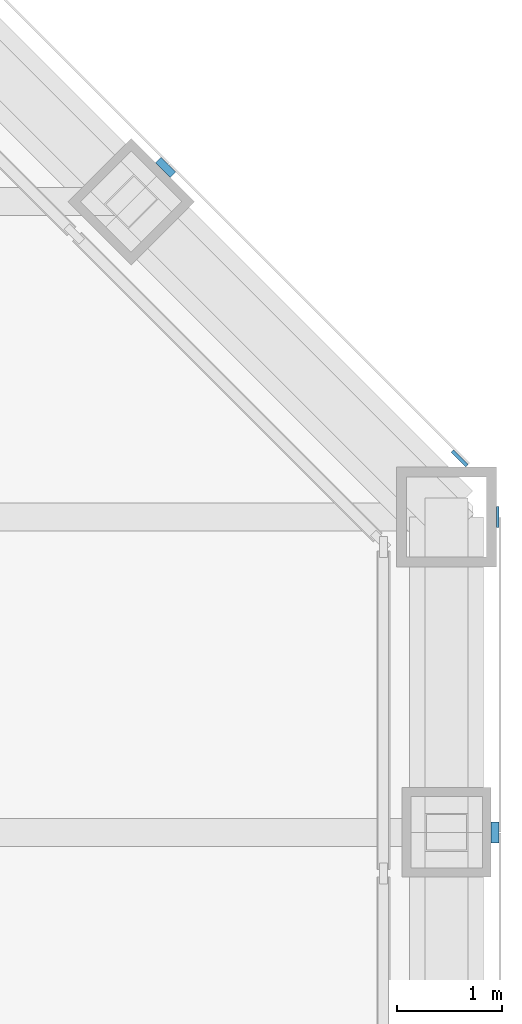
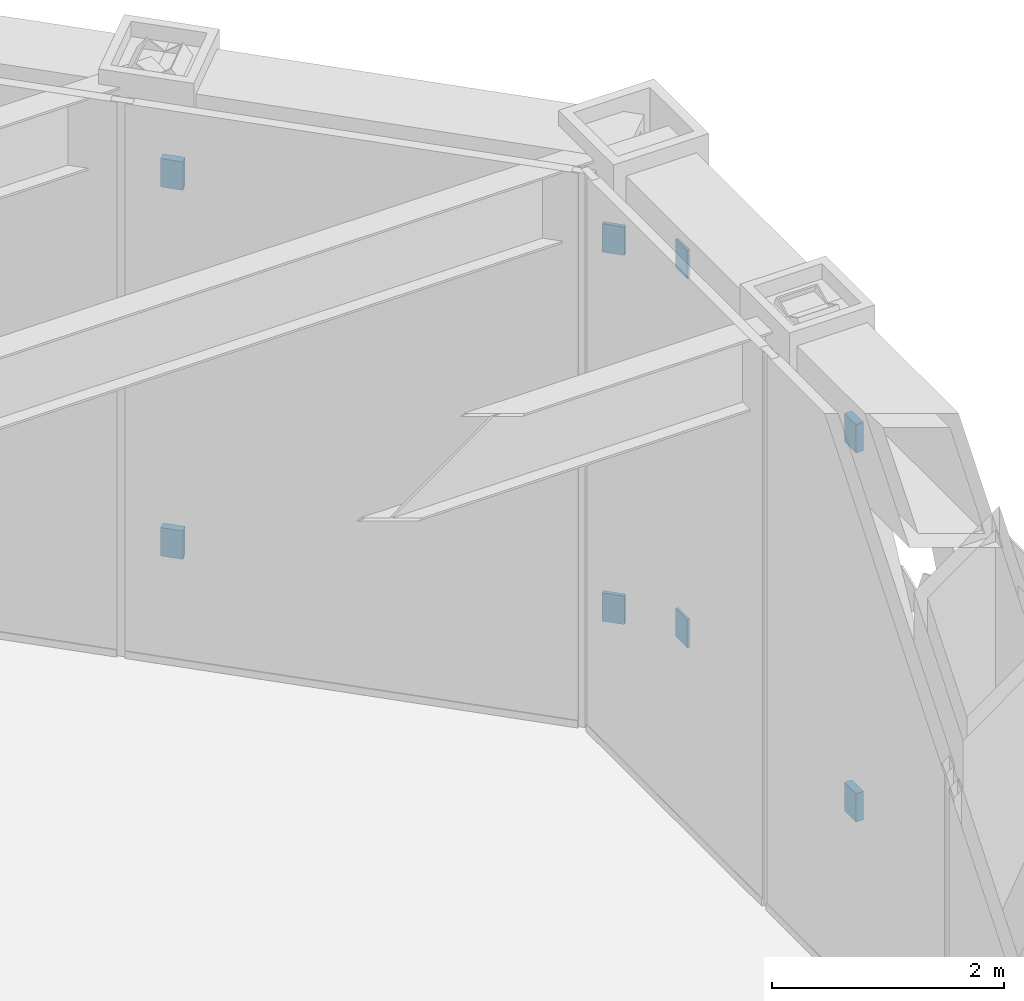
# One storey, part 16 of 28: 8 discrete accessories.
"""IFC4 building model written with IfcOpenShell, lengths in metres."""

from ifc_helpers import new_model, si_unit, direction, frame, origin, origin_2d, place, context, subcontext, project, spatial, rectangle, extrude, material, type_object, element, save


model = new_model("IFC4")

# Units and contexts
model_context = context("Model", 3, precision=1e-05, world=origin(), true_north=direction((0.0, 1.0)))
body_context = subcontext(model_context, "Body", "Model", "MODEL_VIEW")
ifc_project = project(units=[si_unit("LENGTHUNIT", "METRE"), si_unit("AREAUNIT", "SQUARE_METRE"), si_unit("VOLUMEUNIT", "CUBIC_METRE"), si_unit("PLANEANGLEUNIT", "RADIAN"), si_unit("MASSUNIT", "GRAM", prefix="KILO")], contexts=[model_context])

# Site, building, storey
site_placement = place(None, origin())
site = spatial("IfcSite", under=ifc_project, at=site_placement, CompositionType="ELEMENT")
building_placement = place(site_placement, origin())
building = spatial("IfcBuilding", under=site, at=building_placement, Name="Chuquiago Exchange Tower", CompositionType="ELEMENT")
storey_placement = place(building_placement, frame((0.0, 0.0, 174.0)))
storey = spatial("IfcBuildingStorey", under=building, at=storey_placement, Name="L38", CompositionType="ELEMENT", Elevation=174.0)

# Discrete accessories
ifc_material_1 = material(Name="Stainless steel plate bracket", Category="steel")
discrete_accessory_type_1 = type_object("IfcDiscreteAccessoryType", Name="GB4 cladding bracket 75", PredefinedType="BRACKET", material=ifc_material_1)
for number, where, z_axis, x_axis, name in (
    (1, (45.46240234375, 24.0, 0.35009765625), (0.0, 0.0, 1.0), (0.0, 1.0, 0.0), "Cladding bracket L38 E"),
    (2, (45.46240234375, 24.0, 4.23974609375), (0.0, 0.0, 1.0), (0.0, 1.0, 0.0), "Cladding bracket L38 E"),
    (3, (42.3271484375, 30.326904296875, 0.35009765625), (0.0, 0.0, 1.0), (-0.707106781187, 0.707106781187, 0.0), "Cladding bracket L38 NE"),
    (4, (42.3271484375, 30.326904296875, 4.23974609375), (0.0, 0.0, 1.0), (-0.707106781187, 0.707106781187, 0.0), "Cladding bracket L38 NE"),
):
    element("IfcDiscreteAccessory", number, at=place(storey_placement, frame(where, z_axis=z_axis, x_axis=x_axis)), inside=storey, type_object=discrete_accessory_type_1, Name=name, PredefinedType="BRACKET", context=body_context, shape_type="SweptSolid", body=[
        extrude(rectangle(XDim=0.199951171875, YDim=0.074951171875, at=origin_2d()), origin(), (0.0, 0.0, 1.0), 0.300048828125),
    ])
ifc_material_2 = material(Name="Stainless steel plate bracket", Category="steel")
discrete_accessory_type_2 = type_object("IfcDiscreteAccessoryType", Name="GB6 cladding bracket 35", PredefinedType="BRACKET", material=ifc_material_2)
for number, where, z_axis, x_axis, name in (
    (5, (45.123779296875, 27.55810546875, 0.35009765625), (0.0, 0.0, 1.0), (-0.707106781187, 0.707106781187, 0.0), "Cladding bracket L38 NE"),
    (6, (45.123779296875, 27.55810546875, 4.23974609375), (0.0, 0.0, 1.0), (-0.707106781187, 0.707106781187, 0.0), "Cladding bracket L38 NE"),
):
    element("IfcDiscreteAccessory", number, at=place(storey_placement, frame(where, z_axis=z_axis, x_axis=x_axis)), inside=storey, type_object=discrete_accessory_type_2, Name=name, PredefinedType="BRACKET", context=body_context, shape_type="SweptSolid", body=[
        extrude(rectangle(XDim=0.199951171875, YDim=0.035400390625, at=origin_2d()), origin(), (0.0, 0.0, 1.0), 0.300048828125),
    ])
ifc_material_3 = material(Name="Stainless steel plate bracket", Category="steel")
discrete_accessory_type_3 = type_object("IfcDiscreteAccessoryType", Name="GB7 cladding bracket 25", PredefinedType="BRACKET", material=ifc_material_3)
for number, where, z_axis, x_axis, name in (
    (7, (45.487548828125, 27.0, 0.35009765625), (0.0, 0.0, 1.0), (0.0, 1.0, 0.0), "Cladding bracket L38 E"),
    (8, (45.487548828125, 27.0, 4.23974609375), (0.0, 0.0, 1.0), (0.0, 1.0, 0.0), "Cladding bracket L38 E"),
):
    element("IfcDiscreteAccessory", number, at=place(storey_placement, frame(where, z_axis=z_axis, x_axis=x_axis)), inside=storey, type_object=discrete_accessory_type_3, Name=name, PredefinedType="BRACKET", context=body_context, shape_type="SweptSolid", body=[
        extrude(rectangle(XDim=0.199951171875, YDim=0.02490234375, at=origin_2d()), origin(), (0.0, 0.0, 1.0), 0.300048828125),
    ])

save(model, "model.ifc")
